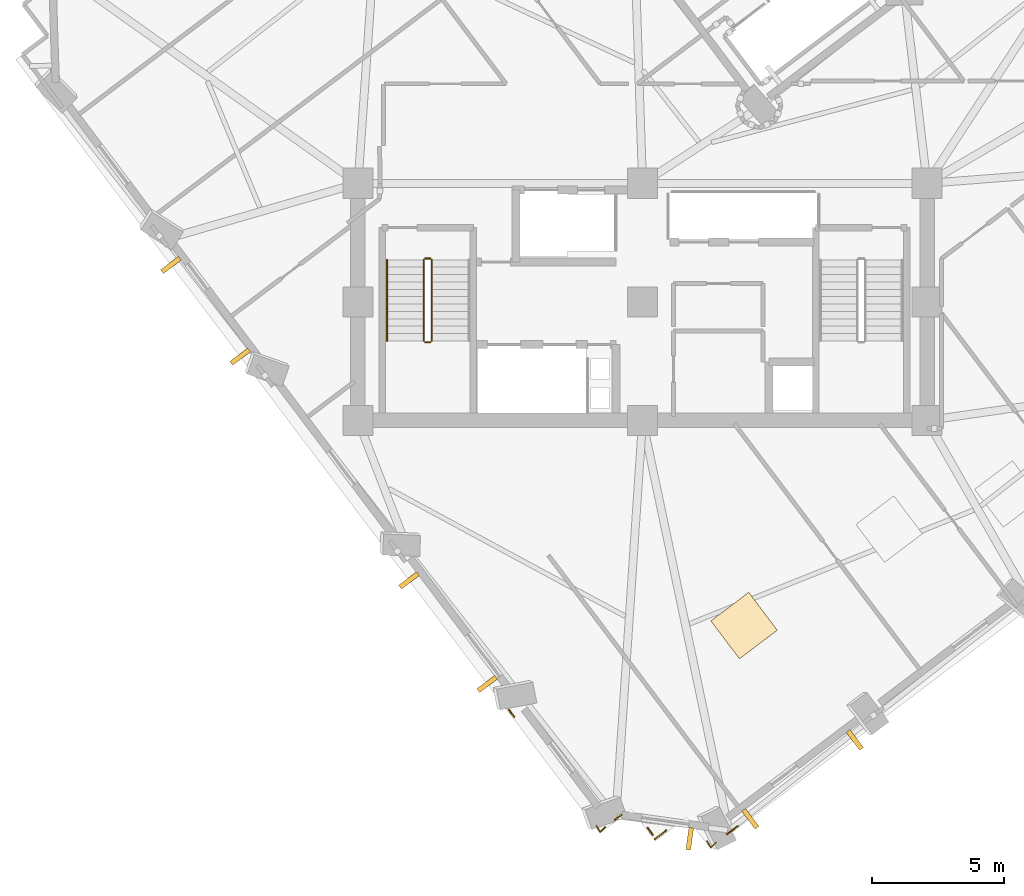
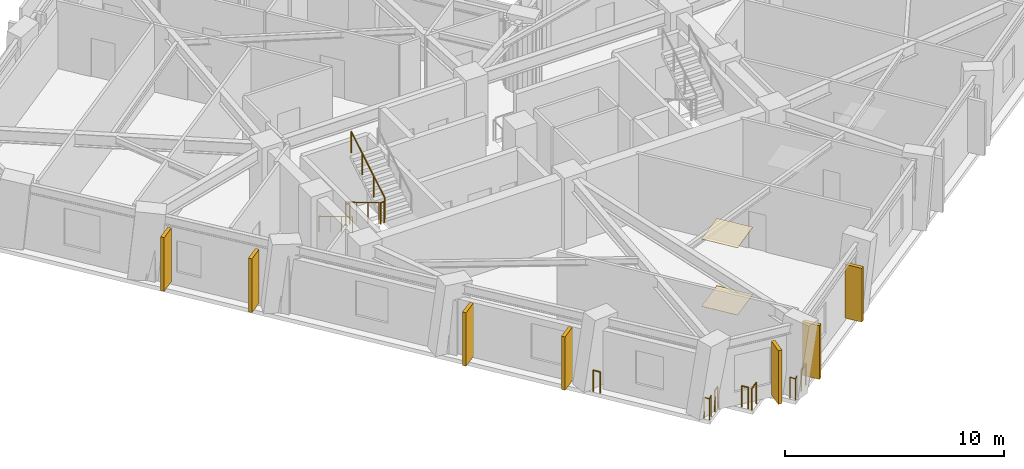
# One storey, part 11 of 15: 12 railings, 7 shading devices, 2 coverings.
"""IFC4 building model written with IfcOpenShell, lengths in metres."""

import ifcopenshell
import ifcopenshell.guid

model = None  # the IFC model being written
_history = None  # IfcOwnerHistory: only IFC2X3 demands one
_inside = {}  # id of a spatial element -> (the spatial element, [elements in it])
_under = {}  # id of a project, library or spatial element -> (it, [spatial elements below it])
_declared = {}  # id of a project -> (the project, [libraries it declares])
_typed = {}  # id of a type object -> (the type object, [elements of that type])
_made_of = {}  # id of a material, layer set ... -> (it, [elements and type objects made of it])


def new_model(schema):
    """Start an empty IFC model of exactly this schema.

    Asked for "IFC4X3", IfcOpenShell would pick the latest addendum, in which some entities
    have other attributes; the version numbers below select the first issue.
    IFC2X3 requires an IfcOwnerHistory on every rooted entity: one is made here for all.
    """
    global model, _history
    if schema == "IFC4X3":
        model = ifcopenshell.file(schema_version=(4, 3, 0, 0))
    else:
        model = ifcopenshell.file(schema=schema)
    _inside.clear()
    _under.clear()
    _declared.clear()
    _typed.clear()
    _made_of.clear()
    _history = None
    if model.schema == "IFC2X3":
        org = make("IfcOrganization", Name="unknown")
        user = make(
            "IfcPersonAndOrganization",
            ThePerson=make("IfcPerson", FamilyName="unknown"),
            TheOrganization=org,
        )
        app = make(
            "IfcApplication",
            ApplicationDeveloper=org,
            Version="unknown",
            ApplicationFullName="unknown",
            ApplicationIdentifier="unknown",
        )
        _history = make(
            "IfcOwnerHistory",
            OwningUser=user,
            OwningApplication=app,
            ChangeAction="ADDED",
            CreationDate=0,
        )
    return model


def make(cls, **values):
    """One entity of the class cls with the attributes given. An attribute that is None is left unset."""
    return model.create_entity(
        cls, **{name: value for name, value in values.items() if value is not None}
    )


def rooted(cls, **values):
    """An entity with a GlobalId (a new one), such as an element, a storey or a relation."""
    return make(cls, GlobalId=ifcopenshell.guid.new(), OwnerHistory=_history, **values)


def si_unit(unit_type, name, prefix=None):
    """IfcSIUnit, for example si_unit("LENGTHUNIT", "METRE", prefix="MILLI")."""
    return make("IfcSIUnit", UnitType=unit_type, Prefix=prefix, Name=name)


def assignment(units):
    """IfcUnitAssignment: the units of a project."""
    return None if units is None else make("IfcUnitAssignment", Units=units)


def point(xyz):
    """IfcCartesianPoint."""
    return None if xyz is None else make("IfcCartesianPoint", Coordinates=xyz)


def direction(xyz):
    """IfcDirection."""
    return None if xyz is None else make("IfcDirection", DirectionRatios=xyz)


def frame(location, z_axis=None, x_axis=None):
    """IfcAxis2Placement3D, a coordinate frame: its origin and axes. An axis left out is left unset."""
    return make(
        "IfcAxis2Placement3D",
        Location=point(location),
        Axis=direction(z_axis),
        RefDirection=direction(x_axis),
    )


def frame_2d(location, x_axis=None):
    """IfcAxis2Placement2D, a coordinate frame in the plane: its origin and x axis."""
    return make(
        "IfcAxis2Placement2D", Location=point(location), RefDirection=direction(x_axis)
    )


def origin():
    """The frame at (0, 0, 0) with its axes left unset."""
    return frame((0.0, 0.0, 0.0))


def origin_2d():
    """The frame at (0, 0) in the plane with its x axis left unset."""
    return frame_2d((0.0, 0.0))


def place(relative_to, where):
    """IfcLocalPlacement: puts the frame where relative to a parent placement (None: the world)."""
    return make(
        "IfcLocalPlacement", PlacementRelTo=relative_to, RelativePlacement=where
    )


def context(
    kind, dimensions, precision=None, world=None, true_north=None, identifier=None
):
    """IfcGeometricRepresentationContext, for example the 3D "Model" context."""
    return make(
        "IfcGeometricRepresentationContext",
        ContextIdentifier=identifier,
        ContextType=kind,
        CoordinateSpaceDimension=dimensions,
        Precision=precision,
        WorldCoordinateSystem=world,
        TrueNorth=true_north,
    )


def subcontext(parent, identifier, kind, view, scale=None):
    """IfcGeometricRepresentationSubContext, for example "Body" below "Model"."""
    return make(
        "IfcGeometricRepresentationSubContext",
        ContextIdentifier=identifier,
        ContextType=kind,
        ParentContext=parent,
        TargetScale=scale,
        TargetView=view,
    )


def project(units=None, contexts=None):
    """IfcProject with its units and contexts."""
    return rooted(
        "IfcProject",
        Name="project",
        RepresentationContexts=contexts,
        UnitsInContext=assignment(units),
    )


def spatial(cls, under=None, at=None, **own):
    """A site, building, storey or space (cls), placed at a placement, below another one or the project."""
    s = rooted(cls, ObjectPlacement=at, **own)
    if under is not None:
        _under.setdefault(under.id(), (under, []))[1].append(s)
    return s


def profile(cls, at=None, kind="AREA", **sizes):
    """A parametric profile (cls). Its sizes go by their IFC names, for example OverallWidth=200.0."""
    return make(cls, ProfileType=kind, Position=at, **sizes)


def rectangle(**sizes):
    """IfcRectangleProfileDef."""
    return profile("IfcRectangleProfileDef", **sizes)


def circle(**sizes):
    """IfcCircleProfileDef."""
    return profile("IfcCircleProfileDef", **sizes)


def extrude(swept, where, along, depth):
    """IfcExtrudedAreaSolid: the profile swept, set in the frame where, extruded along a direction by depth."""
    return make(
        "IfcExtrudedAreaSolid",
        SweptArea=swept,
        Position=where,
        ExtrudedDirection=direction(along),
        Depth=depth,
    )


def shape(context_of_items, identifier, shape_type, items):
    """IfcShapeRepresentation: the items that make up one representation, for example the "Body"."""
    return make(
        "IfcShapeRepresentation",
        ContextOfItems=context_of_items,
        RepresentationIdentifier=identifier,
        RepresentationType=shape_type,
        Items=items,
    )


def material(Name=None, Category=None):
    """IfcMaterial."""
    return make("IfcMaterial", Name=Name, Category=Category)


def layer(
    of_material, thickness, ventilated=None, Name=None, Category=None, Priority=None
):
    """IfcMaterialLayer: one layer of a wall or slab, of a material (None: an air gap)."""
    return make(
        "IfcMaterialLayer",
        Material=of_material,
        LayerThickness=thickness,
        IsVentilated=ventilated,
        Name=Name,
        Category=Category,
        Priority=Priority,
    )


def layer_set(layers, Name=None):
    """IfcMaterialLayerSet."""
    return make("IfcMaterialLayerSet", MaterialLayers=layers, LayerSetName=Name)


def made_of(thing, what):
    """Note that an element or type object is made of a material, layer set ...; save() writes the relation."""
    if what is not None:
        _made_of.setdefault(what.id(), (what, []))[1].append(thing)
    return thing


def type_object(cls, material=None, **own):
    """A type object (cls), such as IfcWallType, which elements share."""
    return made_of(rooted(cls, **own), material)


def element(
    cls,
    number,
    at=None,
    inside=None,
    cuts=None,
    type_object=None,
    material=None,
    context=None,
    identifier="Body",
    shape_type=None,
    held_by="IfcProductDefinitionShape",
    body=None,
    shapes=None,
    **own,
):
    """One element of the class cls, such as IfcWall. Its Tag is "e" and its number.

    at: its placement. inside: the storey or other place that contains it. cuts: it is an
    opening in that element (IfcRelVoidsElement). A single representation is given by context,
    identifier, shape_type and body (its items); several are given by shapes. held_by: the class
    of the entity that holds the representations. save() writes the other relations.
    """
    e = rooted(cls, Tag="e%d" % number, ObjectPlacement=at, **own)
    if body is not None:
        shapes = [shape(context, identifier, shape_type, body)]
    if shapes is not None:
        e.Representation = make(held_by, Representations=shapes)
    if inside is not None:
        _inside.setdefault(inside.id(), (inside, []))[1].append(e)
    if cuts is not None:
        rooted(
            "IfcRelVoidsElement", RelatingBuildingElement=cuts, RelatedOpeningElement=e
        )
    if type_object is not None:
        _typed.setdefault(type_object.id(), (type_object, []))[1].append(e)
    return made_of(e, material)


def aggregate(whole, parts):
    """IfcRelAggregates: a whole, such as a stair, and the parts it consists of."""
    return rooted("IfcRelAggregates", RelatingObject=whole, RelatedObjects=parts)


def save(model, path):
    """Write the relations noted so far, then the file.

    IfcRelAggregates (storeys below a building ...), IfcRelContainedInSpatialStructure (elements
    in a storey), IfcRelDefinesByType, IfcRelAssociatesMaterial and IfcRelDeclares: one each for
    every whole, place, type object, material and project.
    """
    for whole, parts in _under.values():
        aggregate(whole, parts)
    for where, things in _inside.values():
        rooted(
            "IfcRelContainedInSpatialStructure",
            RelatedElements=things,
            RelatingStructure=where,
        )
    for kind, things in _typed.values():
        rooted("IfcRelDefinesByType", RelatedObjects=things, RelatingType=kind)
    for what, things in _made_of.values():
        rooted("IfcRelAssociatesMaterial", RelatedObjects=things, RelatingMaterial=what)
    for by, libraries in _declared.values():
        rooted("IfcRelDeclares", RelatingContext=by, RelatedDefinitions=libraries)
    model.write(path)


model = new_model("IFC4")

# Units and contexts
model_context = context("Model", 3, precision=1e-05, world=origin(), true_north=direction((0.0, 1.0)))
body_context = subcontext(model_context, "Body", "Model", "MODEL_VIEW")
ifc_project = project(units=[si_unit("LENGTHUNIT", "METRE"), si_unit("AREAUNIT", "SQUARE_METRE"), si_unit("VOLUMEUNIT", "CUBIC_METRE"), si_unit("PLANEANGLEUNIT", "RADIAN"), si_unit("MASSUNIT", "GRAM", prefix="KILO")], contexts=[model_context])

# Site, building, storey
site_placement = place(None, origin())
site = spatial("IfcSite", under=ifc_project, at=site_placement, CompositionType="ELEMENT")
building_placement = place(site_placement, origin())
building = spatial("IfcBuilding", under=site, at=building_placement, Name="Gaonmaruhae Medical Tower", CompositionType="ELEMENT")
storey_placement = place(building_placement, frame((0.0, 0.0, 181.800048828125)))
storey = spatial("IfcBuildingStorey", under=building, at=storey_placement, Name="L43", CompositionType="ELEMENT", Elevation=181.800048828125)

# Coverings
ifc_material_1 = material(Name="Acoustic mineral ceiling tile", Category="finish")
ifc_layer_1 = layer(ifc_material_1, 0.02490234375)
ifc_layer_set_1 = layer_set([ifc_layer_1], Name="Acoustic mineral ceiling tile")
covering_type_1 = type_object("IfcCoveringType", Name="CLG-01 Antimicrobial Acoustic Mineral Ceiling", PredefinedType="CEILING", material=ifc_layer_set_1)
covering_1_placement = place(storey_placement, frame((28.654541015625, 0.015380859375, 3.7548828125), z_axis=(0.0, 0.0, 1.0), x_axis=(0.798110023334, 0.602511734868, 0.0)))
element("IfcCovering", 1, at=covering_1_placement, inside=storey, type_object=covering_type_1, Name="L43 Clinical Room Acoustic Ceiling 2", PredefinedType="CEILING", context=body_context, shape_type="SweptSolid", body=[
    extrude(rectangle(XDim=1.800048828125, YDim=1.800048828125, at=origin_2d()), origin(), (0.0, 0.0, 1.0), 0.02490234375),
])
ifc_material_2 = material(Name="Seamless clinical vinyl flooring", Category="finish")
ifc_layer_2 = layer(ifc_material_2, 0.014892578125)
ifc_layer_set_2 = layer_set([ifc_layer_2], Name="Seamless clinical vinyl flooring")
covering_type_2 = type_object("IfcCoveringType", Name="FLR-01 Seamless Clinical Antistatic Vinyl Flooring", PredefinedType="FLOORING", material=ifc_layer_set_2)
covering_2_placement = place(storey_placement, frame((28.654541015625, 0.015380859375, 0.0), z_axis=(0.0, 0.0, 1.0), x_axis=(0.798110023334, 0.602511734868, 0.0)))
element("IfcCovering", 2, at=covering_2_placement, inside=storey, type_object=covering_type_2, Name="L43 Clinical Room Vinyl Flooring 2", PredefinedType="FLOORING", context=body_context, shape_type="SweptSolid", body=[
    extrude(rectangle(XDim=1.800048828125, YDim=1.800048828125, at=origin_2d()), origin(), (0.0, 0.0, 1.0), 0.014892578125),
])

# Railings
ifc_material_3 = material(Name="Stainless steel 316L and laminated safety glass", Category="steel")
ifc_layer_3 = layer(ifc_material_3, 0.080078125)
ifc_layer_set_3 = layer_set([ifc_layer_3], Name="Stainless steel 316L and laminated safety glass")
railing_type_1 = type_object("IfcRailingType", Name="GD-120 Outdoor Terrace Safety Glass & Steel Balustrade", PredefinedType="BALUSTRADE", material=ifc_layer_set_3)
railing_1_placement = place(storey_placement, frame((28.408203125, -7.59912109375, 0.0)))
element("IfcRailing", 3, at=railing_1_placement, inside=storey, type_object=railing_type_1, Name="L43 Perimeter Slab Edge Safety Balustrade 04", PredefinedType="BALUSTRADE", context=body_context, shape_type="SweptSolid", body=[
    extrude(circle(Radius=0.02392578125, at=origin_2d()), frame((0.0, 0.0, 1.17578125), z_axis=(-0.798189150333, -0.602406905912, 0.0), x_axis=(0.602406905912, -0.798189150333, 0.0)), (0.0, 0.0, 1.0), 0.518798828125),
    extrude(circle(Radius=0.02099609375, at=origin_2d()), origin(), (0.0, 0.0, 1.0), 1.15185546875),
    extrude(circle(Radius=0.02099609375, at=origin_2d()), frame((-0.4140625, -0.3125, 0.0)), (0.0, 0.0, 1.0), 1.15185546875),
])
railing_2_placement = place(storey_placement, frame((25.704345703125, -7.760986328125, 0.0)))
element("IfcRailing", 4, at=railing_2_placement, inside=storey, type_object=railing_type_1, Name="L43 Perimeter Slab Edge Safety Balustrade 05", PredefinedType="BALUSTRADE", context=body_context, shape_type="SweptSolid", body=[
    extrude(circle(Radius=0.02392578125, at=origin_2d()), frame((0.0, 0.0, 1.17578125), z_axis=(-0.798165420918, -0.6024383461, 0.0), x_axis=(0.6024383461, -0.798165420918, 0.0)), (0.0, 0.0, 1.0), 0.56005859375),
    extrude(circle(Radius=0.02099609375, at=origin_2d()), origin(), (0.0, 0.0, 1.0), 1.15185546875),
    extrude(circle(Radius=0.02099609375, at=origin_2d()), frame((-0.447021484375, -0.33740234375, 0.0)), (0.0, 0.0, 1.0), 1.15185546875),
])
railing_3_placement = place(storey_placement, frame((25.186767578125, -7.921875, 0.0)))
element("IfcRailing", 5, at=railing_3_placement, inside=storey, type_object=railing_type_1, Name="L43 Perimeter Slab Edge Safety Balustrade 06", PredefinedType="BALUSTRADE", context=body_context, shape_type="SweptSolid", body=[
    extrude(circle(Radius=0.02392578125, at=origin_2d()), frame((0.0, 0.0, 1.17578125), z_axis=(-0.602388937429, 0.798202711135, 0.0), x_axis=(-0.798202711135, -0.602388937429, 0.0)), (0.0, 0.0, 1.0), 0.32666015625),
    extrude(circle(Radius=0.02099609375, at=origin_2d()), origin(), (0.0, 0.0, 1.0), 1.15185546875),
    extrude(circle(Radius=0.02099609375, at=origin_2d()), frame((-0.19677734375, 0.2607421875, 0.0)), (0.0, 0.0, 1.0), 1.15185546875),
])
railing_4_placement = place(storey_placement, frame((24.00244140625, -7.166259765625, 0.0)))
element("IfcRailing", 6, at=railing_4_placement, inside=storey, type_object=railing_type_1, Name="L43 Perimeter Slab Edge Safety Balustrade 07", PredefinedType="BALUSTRADE", context=body_context, shape_type="SweptSolid", body=[
    extrude(circle(Radius=0.02392578125, at=origin_2d()), frame((0.0, 0.0, 1.17578125), z_axis=(-0.798202711135, -0.602388937429, 0.0), x_axis=(0.602388937429, -0.798202711135, 0.0)), (0.0, 0.0, 1.0), 0.32666015625),
    extrude(circle(Radius=0.02099609375, at=origin_2d()), origin(), (0.0, 0.0, 1.0), 1.15185546875),
    extrude(circle(Radius=0.02099609375, at=origin_2d()), frame((-0.2607421875, -0.19677734375, 0.0)), (0.0, 0.0, 1.0), 1.15185546875),
])
railing_5_placement = place(storey_placement, frame((19.933837890625, -3.453125, 0.0)))
element("IfcRailing", 7, at=railing_5_placement, inside=storey, type_object=railing_type_1, Name="L43 Perimeter Slab Edge Safety Balustrade 08", PredefinedType="BALUSTRADE", context=body_context, shape_type="SweptSolid", body=[
    extrude(circle(Radius=0.02392578125, at=origin_2d()), frame((0.0, 0.0, 1.17578125), z_axis=(-0.602527902216, 0.798097817971, 0.0), x_axis=(-0.798097817971, -0.602527902216, 0.0)), (0.0, 0.0, 1.0), 0.339599609375),
    extrude(circle(Radius=0.02099609375, at=origin_2d()), origin(), (0.0, 0.0, 1.0), 1.15185546875),
    extrude(circle(Radius=0.02099609375, at=origin_2d()), frame((-0.20458984375, 0.27099609375, 0.0)), (0.0, 0.0, 1.0), 1.15185546875),
])
railing_6_placement = place(storey_placement, frame((27.59765625, -8.2109375, 0.0)))
element("IfcRailing", 8, at=railing_6_placement, inside=storey, type_object=railing_type_1, Name="L43 Perimeter Corner Safety Balustrade 13", PredefinedType="BALUSTRADE", context=body_context, shape_type="SweptSolid", body=[
    extrude(circle(Radius=0.02392578125, at=origin_2d()), frame((0.0, 0.0, 1.17578125), z_axis=(-0.718492477342, -0.695534729545, 0.0), x_axis=(0.695534729545, -0.718492477342, 0.0)), (0.0, 0.0, 1.0), 0.287109375),
    extrude(circle(Radius=0.02392578125, at=origin_2d()), frame((-0.206298828125, -0.19970703125, 1.17578125), z_axis=(-0.500801637523, 0.865562083189, 0.0), x_axis=(-0.865562083189, -0.500801637523, 0.0)), (0.0, 0.0, 1.0), 0.287109375),
    extrude(circle(Radius=0.02099609375, at=origin_2d()), origin(), (0.0, 0.0, 1.0), 1.15185546875),
    extrude(circle(Radius=0.02099609375, at=origin_2d()), frame((-0.206298828125, -0.19970703125, 0.0)), (0.0, 0.0, 1.0), 1.15185546875),
    extrude(circle(Radius=0.02099609375, at=origin_2d()), frame((-0.35009765625, 0.048828125, 0.0)), (0.0, 0.0, 1.0), 1.15185546875),
])
railing_7_placement = place(storey_placement, frame((23.39599609375, -7.624267578125, 0.0)))
element("IfcRailing", 9, at=railing_7_placement, inside=storey, type_object=railing_type_1, Name="L43 Perimeter Corner Safety Balustrade 14", PredefinedType="BALUSTRADE", context=body_context, shape_type="SweptSolid", body=[
    extrude(circle(Radius=0.02392578125, at=origin_2d()), frame((0.0, 0.0, 1.17578125), z_axis=(-0.718903442724, -0.695109948166, 0.0), x_axis=(0.695109948166, -0.718903442724, 0.0)), (0.0, 0.0, 1.0), 0.287353515625),
    extrude(circle(Radius=0.02392578125, at=origin_2d()), frame((-0.20654296875, -0.19970703125, 1.17578125), z_axis=(-0.499796036008, 0.86614313043, 0.0), x_axis=(-0.86614313043, -0.499796036008, 0.0)), (0.0, 0.0, 1.0), 0.287109375),
    extrude(circle(Radius=0.02099609375, at=origin_2d()), origin(), (0.0, 0.0, 1.0), 1.15185546875),
    extrude(circle(Radius=0.02099609375, at=origin_2d()), frame((-0.20654296875, -0.19970703125, 0.0)), (0.0, 0.0, 1.0), 1.15185546875),
    extrude(circle(Radius=0.02099609375, at=origin_2d()), frame((-0.35009765625, 0.049072265625, 0.0)), (0.0, 0.0, 1.0), 1.15185546875),
])
ifc_material_4 = material(Name="Stainless steel 304 handrail", Category="steel")
railing_type_2 = type_object("IfcRailingType", Name="HR-092 Continuous Stainless Steel Stair Handrail", PredefinedType="HANDRAIL", material=ifc_material_4)
railing_8_placement = place(storey_placement, frame((15.10009765625, 13.89990234375, 0.16650390625)))
element("IfcRailing", 10, at=railing_8_placement, inside=storey, type_object=railing_type_2, Name="L43 ST-01 stair handrail 1", PredefinedType="HANDRAIL", context=body_context, shape_type="SweptSolid", body=[
    extrude(circle(Radius=0.02392578125, at=origin_2d()), frame((0.0, 0.0, 0.8759765625), z_axis=(0.0, -0.859260807169, 0.511537745687), x_axis=(1.0, 0.0, 0.0)), (0.0, 0.0, 1.0), 3.584228515625),
    extrude(circle(Radius=0.02099609375, at=origin_2d()), origin(), (0.0, 0.0, 1.0), 0.851806640625),
    extrude(circle(Radius=0.02099609375, at=origin_2d()), frame((0.0, -1.026611328125, 0.611083984375)), (0.0, 0.0, 1.0), 0.851806640625),
    extrude(circle(Radius=0.02099609375, at=origin_2d()), frame((0.0, -2.05322265625, 1.222412109375)), (0.0, 0.0, 1.0), 0.851806640625),
    extrude(circle(Radius=0.02099609375, at=origin_2d()), frame((0.0, -3.079833984375, 1.83349609375)), (0.0, 0.0, 1.0), 0.851806640625),
])

# Shading devices
ifc_material_5 = material(Name="Pigmented coral precast concrete C45/55", Category="concrete")
shading_device_type = type_object("IfcShadingDeviceType", Name="SD-FIN1 Tower Vertical Coral Precast Shading Fin", PredefinedType="USERDEFINED", material=ifc_material_5)
for number, where, z_axis, x_axis, name in (
    (11, (32.8564453125, -4.322509765625, 0.132568359375), (0.0, 0.0, 1.0), (-0.798110023334, -0.602511734868, 0.0), "L43 Vertical Coral Precast Shading Fin S01"),
    (12, (28.889892578125, -7.31689453125, 0.132568359375), (0.0, 0.0, 1.0), (-0.798110023334, -0.602511734868, 0.0), "L43 Vertical Coral Precast Shading Fin S01B"),
    (13, (9.52880859375, 10.221923828125, 0.132568359375), (0.0, 0.0, 1.0), (-0.602497805129, 0.798120539026, 0.0), "L43 Vertical Coral Precast Shading Fin W02"),
    (14, (6.900390625, 13.70361328125, 0.132568359375), (0.0, 0.0, 1.0), (-0.602497805129, 0.798120539026, 0.0), "L43 Vertical Coral Precast Shading Fin W02B"),
):
    element("IfcShadingDevice", number, at=place(storey_placement, frame(where, z_axis=z_axis, x_axis=x_axis)), inside=storey, type_object=shading_device_type, Name=name, ObjectType="FIN", PredefinedType="USERDEFINED", context=body_context, shape_type="SweptSolid", body=[
        extrude(rectangle(XDim=0.179931640625, YDim=0.85009765625, at=origin_2d()), origin(), (0.0, 0.0, 1.0), 3.0),
    ])
for number, where, z_axis, x_axis, name in (
    (15, (18.905029296875, -2.198486328125, 0.0400390625), (0.0, 0.0, 1.0), (-0.602511734868, 0.798110023334, 0.0), "L43 Vertical Coral Precast Shading Fin W04"),
    (16, (15.938720703125, 1.731201171875, 0.0400390625), (0.0, 0.0, 1.0), (-0.602511734868, 0.798110023334, 0.0), "L43 Vertical Coral Precast Shading Fin W04B"),
):
    element("IfcShadingDevice", number, at=place(storey_placement, frame(where, z_axis=z_axis, x_axis=x_axis)), inside=storey, type_object=shading_device_type, Name=name, ObjectType="FIN", PredefinedType="USERDEFINED", context=body_context, shape_type="SweptSolid", body=[
        extrude(rectangle(XDim=0.179931640625, YDim=0.85009765625, at=origin_2d()), origin(), (0.0, 0.0, 1.0), 2.985107421875),
    ])
shading_device_placement = place(storey_placement, frame((26.592529296875, -8.078369140625, 0.132568359375), z_axis=(0.0, 0.0, 1.0), x_axis=(-0.990389143102, 0.138308876163, 0.0)))
element("IfcShadingDevice", 17, at=shading_device_placement, inside=storey, type_object=shading_device_type, Name="L43 Vertical Coral Precast Shading Fin W06", ObjectType="FIN", PredefinedType="USERDEFINED", context=body_context, shape_type="SweptSolid", body=[
    extrude(rectangle(XDim=0.179931640625, YDim=0.85009765625, at=origin_2d()), origin(), (0.0, 0.0, 1.0), 3.0),
])

# Railings
ifc_material_6 = material(Name="Stainless steel 304 balustrade", Category="steel")
railing_type_3 = type_object("IfcRailingType", Name="SG-112 Stair Well & Ramp Void Safety Balustrade", PredefinedType="BALUSTRADE", material=ifc_material_6)
railing_9_placement = place(storey_placement, frame((16.5, 13.89990234375, 0.16650390625)))
element("IfcRailing", 18, at=railing_9_placement, inside=storey, type_object=railing_type_3, Name="L43 ST-01 stair guard 1", PredefinedType="BALUSTRADE", context=body_context, shape_type="SweptSolid", body=[
    extrude(circle(Radius=0.02392578125, at=origin_2d()), frame((0.0, 0.0, 1.17578125), z_axis=(0.0, -0.859260807169, 0.511537745687), x_axis=(1.0, 0.0, 0.0)), (0.0, 0.0, 1.0), 3.584228515625),
    extrude(circle(Radius=0.02099609375, at=origin_2d()), origin(), (0.0, 0.0, 1.0), 1.15185546875),
    extrude(circle(Radius=0.02099609375, at=origin_2d()), frame((0.0, -1.026611328125, 0.611083984375)), (0.0, 0.0, 1.0), 1.15185546875),
    extrude(circle(Radius=0.02099609375, at=origin_2d()), frame((0.0, -2.05322265625, 1.222412109375)), (0.0, 0.0, 1.0), 1.15185546875),
    extrude(circle(Radius=0.02099609375, at=origin_2d()), frame((0.0, -3.079833984375, 1.83349609375)), (0.0, 0.0, 1.0), 1.15185546875),
])
railing_10_placement = place(storey_placement, frame((16.550048828125, 10.77001953125, 2.0)))
element("IfcRailing", 19, at=railing_10_placement, inside=storey, type_object=railing_type_3, Name="L43 ST-01 stair guard 2", PredefinedType="BALUSTRADE", context=body_context, shape_type="SweptSolid", body=[
    extrude(circle(Radius=0.02392578125, at=origin_2d()), frame((0.0, 0.0, 1.17578125), z_axis=(1.0, 0.0, 0.0), x_axis=(0.0, 1.0, 0.0)), (0.0, 0.0, 1.0), 0.199951171875),
    extrude(circle(Radius=0.02099609375, at=origin_2d()), origin(), (0.0, 0.0, 1.0), 1.15185546875),
    extrude(circle(Radius=0.02099609375, at=origin_2d()), frame((0.199951171875, 0.0, 0.0)), (0.0, 0.0, 1.0), 1.15185546875),
])
railing_11_placement = place(storey_placement, frame((16.800048828125, 10.820068359375, 2.16650390625)))
element("IfcRailing", 20, at=railing_11_placement, inside=storey, type_object=railing_type_3, Name="L43 ST-01 stair guard 3", PredefinedType="BALUSTRADE", context=body_context, shape_type="SweptSolid", body=[
    extrude(circle(Radius=0.02392578125, at=origin_2d()), frame((0.0, 0.0, 1.17578125), z_axis=(0.0, 0.859260807169, 0.511537745687), x_axis=(-1.0, 0.0, 0.0)), (0.0, 0.0, 1.0), 3.584228515625),
    extrude(circle(Radius=0.02099609375, at=origin_2d()), origin(), (0.0, 0.0, 1.0), 1.15185546875),
    extrude(circle(Radius=0.02099609375, at=origin_2d()), frame((0.0, 1.026611328125, 0.611083984375)), (0.0, 0.0, 1.0), 1.15185546875),
    extrude(circle(Radius=0.02099609375, at=origin_2d()), frame((0.0, 2.05322265625, 1.222412109375)), (0.0, 0.0, 1.0), 1.15185546875),
    extrude(circle(Radius=0.02099609375, at=origin_2d()), frame((0.0, 3.079833984375, 1.83349609375)), (0.0, 0.0, 1.0), 1.15185546875),
])
railing_12_placement = place(storey_placement, frame((16.550048828125, 13.949951171875, 0.0)))
element("IfcRailing", 21, at=railing_12_placement, inside=storey, type_object=railing_type_3, Name="L43 ST-01 stair guard 4", PredefinedType="BALUSTRADE", context=body_context, shape_type="SweptSolid", body=[
    extrude(circle(Radius=0.02392578125, at=origin_2d()), frame((0.0, 0.0, 1.17578125), z_axis=(1.0, 0.0, 0.0), x_axis=(0.0, 1.0, 0.0)), (0.0, 0.0, 1.0), 0.199951171875),
    extrude(circle(Radius=0.02099609375, at=origin_2d()), origin(), (0.0, 0.0, 1.0), 1.15185546875),
    extrude(circle(Radius=0.02099609375, at=origin_2d()), frame((0.199951171875, 0.0, 0.0)), (0.0, 0.0, 1.0), 1.15185546875),
])

save(model, "model.ifc")
